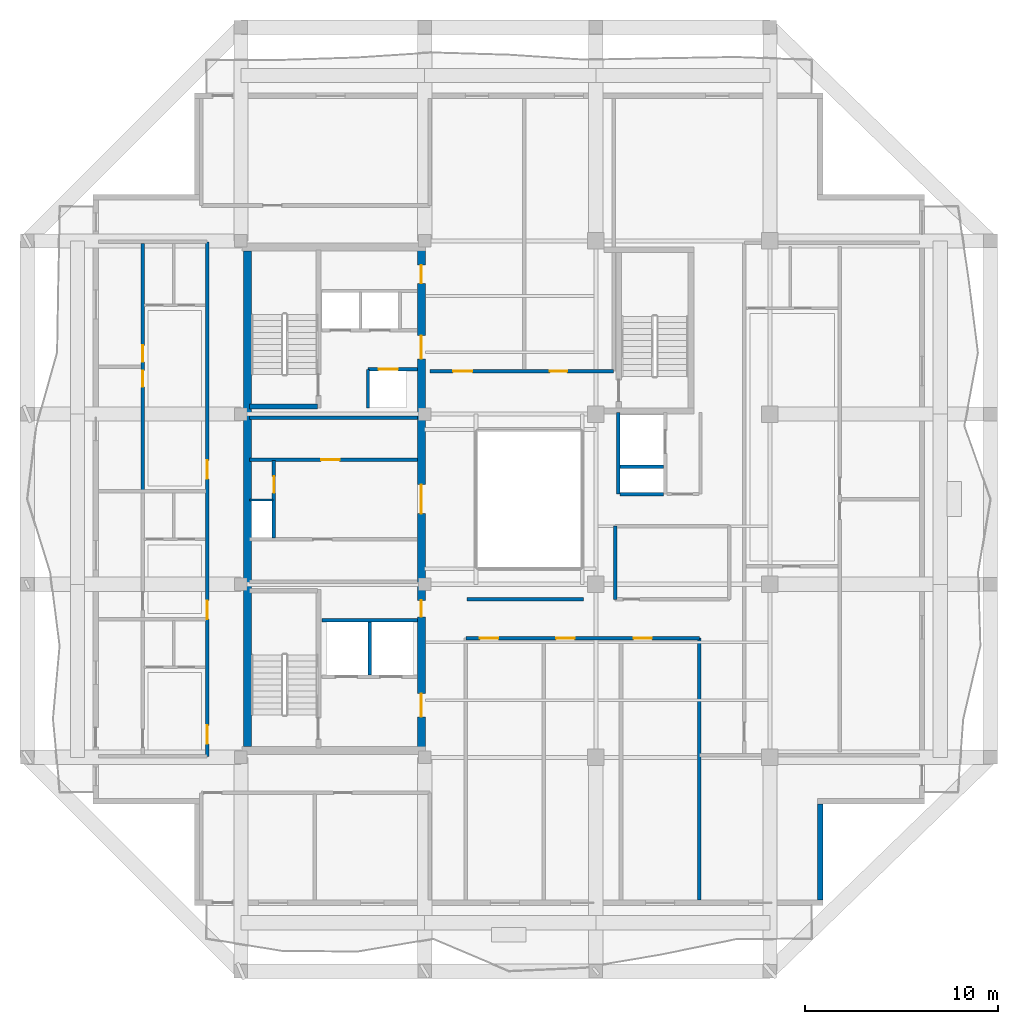
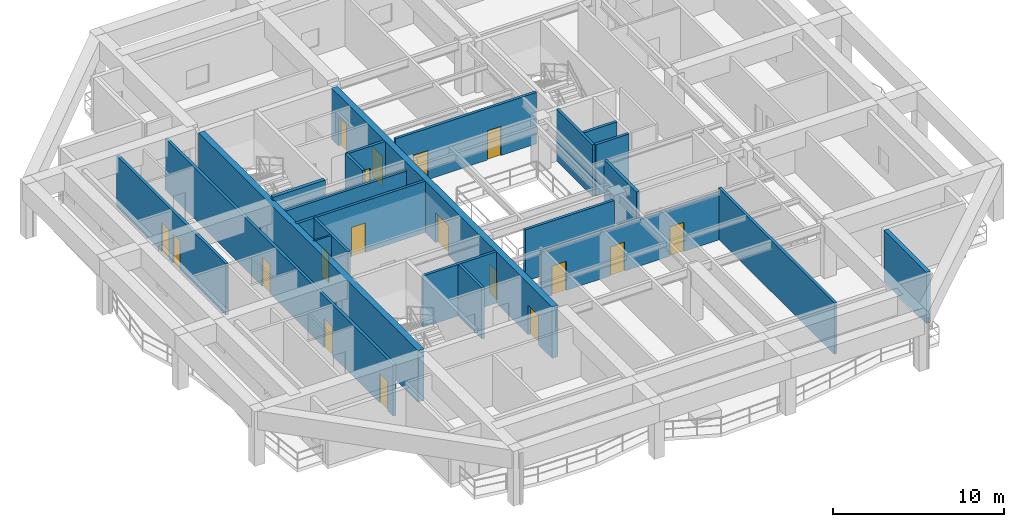
# One storey, part 4 of 11: 22 walls, 18 doors, 18 openings.
"""IFC4 building model written with IfcOpenShell, lengths in metres."""

from ifc_helpers import new_model, si_unit, direction, frame, frame_2d, origin, place, context, subcontext, project, spatial, rectangle, extrude, material, layer, layer_set, type_object, element, fill, save


model = new_model("IFC4")

# Units and contexts
model_context = context("Model", 3, precision=1e-05, world=origin(), true_north=direction((0.0, 1.0)))
body_context = subcontext(model_context, "Body", "Model", "MODEL_VIEW")
ifc_project = project(units=[si_unit("LENGTHUNIT", "METRE"), si_unit("AREAUNIT", "SQUARE_METRE"), si_unit("VOLUMEUNIT", "CUBIC_METRE"), si_unit("PLANEANGLEUNIT", "RADIAN"), si_unit("MASSUNIT", "GRAM", prefix="KILO")], contexts=[model_context])

# Site, building, storey
site_placement = place(None, origin())
site = spatial("IfcSite", under=ifc_project, at=site_placement, CompositionType="ELEMENT")
building_placement = place(site_placement, origin())
building = spatial("IfcBuilding", under=site, at=building_placement, Name="Kundavana Baori Tower", CompositionType="ELEMENT")
storey_placement = place(building_placement, frame((0.0, 0.0, 268.699951171875)))
storey = spatial("IfcBuildingStorey", under=building, at=storey_placement, Name="L66", CompositionType="ELEMENT", Elevation=268.699951171875)

# Wall
ifc_material_1 = material(Name="Concrete C50/60", Category="concrete")
ifc_layer_1 = layer(ifc_material_1, 0.39990234375, Name="WL-CORE-400")
ifc_layer_set_1 = layer_set([ifc_layer_1], Name="Concrete C50/60")
wall_type_1 = type_object("IfcWallType", Name="WL-CORE-400", PredefinedType="SHEAR", material=ifc_layer_set_1)
wall_1_placement = place(storey_placement, frame((15.7900390625, 15.81005859375, 0.0), z_axis=(0.0, 0.0, 1.0), x_axis=(0.0, 1.0, 0.0)))
element("IfcWall", 1, at=wall_1_placement, inside=storey, type_object=wall_type_1, Name="L66 Offset Core West Shear Wall", PredefinedType="SHEAR", context=body_context, shape_type="SweptSolid", body=[
    extrude(rectangle(XDim=25.6298828125, YDim=0.39990234375, at=frame_2d((12.81494140625, 0.0))), origin(), (0.0, 0.0, 1.0), 3.66015625),
])

# Wall, openings, doors
wall_2_placement = place(storey_placement, frame((24.780029296875, 15.739990234375, 0.0), z_axis=(0.0, 0.0, 1.0), x_axis=(0.0, 1.0, 0.0)))
wall_2 = element("IfcWall", 2, at=wall_2_placement, inside=storey, type_object=wall_type_1, Name="L66 Offset Core East Shear Wall", PredefinedType="SHEAR", context=body_context, shape_type="SweptSolid", body=[
    extrude(rectangle(XDim=25.760009765625, YDim=0.39990234375, at=frame_2d((12.8798828125, 0.0))), origin(), (0.0, 0.0, 1.0), 3.66015625),
])
opening_1_placement = place(wall_2_placement, frame((1.610107421875, 0.0, 0.0)))
opening_1 = element("IfcOpeningElement", 3, at=opening_1_placement, cuts=wall_2, Name="Opening FD-120", PredefinedType="OPENING", context=body_context, shape_type="SweptSolid", body=[
    extrude(rectangle(XDim=1.199951171875, YDim=2.10009765625, at=frame_2d((0.60009765625, 1.050048828125))), frame((0.0, 0.2099609375, 0.0), z_axis=(0.0, -1.0, 0.0), x_axis=(1.0, 0.0, 0.0)), (0.0, 0.0, 1.0), 0.419921875),
])
opening_2_placement = place(wall_2_placement, frame((6.780029296875, 0.0, 0.0)))
opening_2 = element("IfcOpeningElement", 4, at=opening_2_placement, cuts=wall_2, Name="Opening FD-085", PredefinedType="OPENING", context=body_context, shape_type="SweptSolid", body=[
    extrude(rectangle(XDim=0.85009765625, YDim=2.06005859375, at=frame_2d((0.425048828125, 1.030029296875))), frame((0.0, 0.2099609375, 0.0), z_axis=(0.0, -1.0, 0.0), x_axis=(1.0, 0.0, 0.0)), (0.0, 0.0, 1.0), 0.419921875),
])
opening_3_placement = place(wall_2_placement, frame((12.110107421875, 0.0, 0.0)))
opening_3 = element("IfcOpeningElement", 5, at=opening_3_placement, cuts=wall_2, Name="Opening FD-150", PredefinedType="OPENING", context=body_context, shape_type="SweptSolid", body=[
    extrude(rectangle(XDim=1.5, YDim=2.1201171875, at=frame_2d((0.75, 1.06005859375))), frame((0.0, 0.2099609375, 0.0), z_axis=(0.0, -1.0, 0.0), x_axis=(1.0, 0.0, 0.0)), (0.0, 0.0, 1.0), 0.419921875),
])
opening_4_placement = place(wall_2_placement, frame((20.110107421875, 0.0, 0.0)))
opening_4 = element("IfcOpeningElement", 6, at=opening_4_placement, cuts=wall_2, Name="Opening FD-122", PredefinedType="OPENING", context=body_context, shape_type="SweptSolid", body=[
    extrude(rectangle(XDim=1.199951171875, YDim=2.1201171875, at=frame_2d((0.60009765625, 1.06005859375))), frame((0.0, 0.2099609375, 0.0), z_axis=(0.0, -1.0, 0.0), x_axis=(1.0, 0.0, 0.0)), (0.0, 0.0, 1.0), 0.419921875),
])
opening_5_placement = place(wall_2_placement, frame((24.010009765625, 0.0, 0.0)))
opening_5 = element("IfcOpeningElement", 7, at=opening_5_placement, cuts=wall_2, Name="Opening FD-095", PredefinedType="OPENING", context=body_context, shape_type="SweptSolid", body=[
    extrude(rectangle(XDim=0.949951171875, YDim=2.10009765625, at=frame_2d((0.47509765625, 1.050048828125))), frame((0.0, 0.2099609375, 0.0), z_axis=(0.0, -1.0, 0.0), x_axis=(1.0, 0.0, 0.0)), (0.0, 0.0, 1.0), 0.419921875),
])
ifc_material_2 = material(Name="Galvanised Steel Fire-Rated Door Leaf", Category="steel")
door_type_1 = type_object("IfcDoorType", Name="DR-FD120-1200", OperationType="NOTDEFINED", PredefinedType="DOOR", material=ifc_material_2)
door_1_placement = place(opening_1_placement, frame((1.199951171875, 0.0, 0.0), z_axis=(0.0, 0.0, 1.0), x_axis=(-1.0, 0.0, 0.0)))
door_1 = element("IfcDoor", 8, at=door_1_placement, inside=storey, type_object=door_type_1, Name="DR-L66-FFLOB-E", OperationType="SINGLE_SWING_RIGHT", OverallHeight=2.10009765625, OverallWidth=1.199951171875, PredefinedType="DOOR", context=body_context, shape_type="SweptSolid", body=[
    extrude(rectangle(XDim=1.199951171875, YDim=2.10009765625, at=frame_2d((0.60009765625, 1.050048828125))), frame((0.0, 0.02490234375, 0.0), z_axis=(0.0, -1.0, 0.0), x_axis=(1.0, 0.0, 0.0)), (0.0, 0.0, 1.0), 0.050048828125),
])
fill(opening_1, door_1)
ifc_material_3 = material(Name="Galvanised Steel Fire-Rated Door Leaf", Category="steel")
door_type_2 = type_object("IfcDoorType", Name="DR-FD60-1200", OperationType="NOTDEFINED", PredefinedType="DOOR", material=ifc_material_3)
door_2_placement = place(opening_4_placement, frame((1.199951171875, 0.0, 0.0), z_axis=(0.0, 0.0, 1.0), x_axis=(-1.0, 0.0, 0.0)))
door_2 = element("IfcDoor", 9, at=door_2_placement, inside=storey, type_object=door_type_2, Name="DR-L66-HRLOB-E", OperationType="SINGLE_SWING_RIGHT", OverallHeight=2.1201171875, OverallWidth=1.199951171875, PredefinedType="DOOR", context=body_context, shape_type="SweptSolid", body=[
    extrude(rectangle(XDim=1.199951171875, YDim=2.1201171875, at=frame_2d((0.60009765625, 1.06005859375))), frame((0.0, 0.02490234375, 0.0), z_axis=(0.0, -1.0, 0.0), x_axis=(1.0, 0.0, 0.0)), (0.0, 0.0, 1.0), 0.050048828125),
])
fill(opening_4, door_2)
ifc_material_4 = material(Name="Galvanised Steel Fire-Rated Door Leaf", Category="steel")
door_type_3 = type_object("IfcDoorType", Name="DR-FD60-1500", OperationType="NOTDEFINED", PredefinedType="DOOR", material=ifc_material_4)
door_3_placement = place(opening_3_placement, frame((1.5, 0.0, 0.0), z_axis=(0.0, 0.0, 1.0), x_axis=(-1.0, 0.0, 0.0)))
door_3 = element("IfcDoor", 10, at=door_3_placement, inside=storey, type_object=door_type_3, Name="DR-L66-LIFTHALL-E", OperationType="SINGLE_SWING_LEFT", OverallHeight=2.1201171875, OverallWidth=1.5, PredefinedType="DOOR", context=body_context, shape_type="SweptSolid", body=[
    extrude(rectangle(XDim=1.5, YDim=2.1201171875, at=frame_2d((0.75, 1.06005859375))), frame((0.0, 0.02490234375, 0.0), z_axis=(0.0, -1.0, 0.0), x_axis=(1.0, 0.0, 0.0)), (0.0, 0.0, 1.0), 0.050048828125),
])
fill(opening_3, door_3)
ifc_material_5 = material(Name="Galvanised Steel Fire-Rated Door Leaf", Category="steel")
door_type_4 = type_object("IfcDoorType", Name="DR-FD60-850", OperationType="NOTDEFINED", PredefinedType="DOOR", material=ifc_material_5)
door_4_placement = place(opening_2_placement, frame((0.85009765625, 0.0, 0.0), z_axis=(0.0, 0.0, 1.0), x_axis=(-1.0, 0.0, 0.0)))
door_4 = element("IfcDoor", 11, at=door_4_placement, inside=storey, type_object=door_type_4, Name="DR-L66-CSMK1", OperationType="SINGLE_SWING_LEFT", OverallHeight=2.06005859375, OverallWidth=0.85009765625, PredefinedType="DOOR", context=body_context, shape_type="SweptSolid", body=[
    extrude(rectangle(XDim=0.85009765625, YDim=2.06005859375, at=frame_2d((0.425048828125, 1.030029296875))), frame((0.0, 0.02490234375, 0.0), z_axis=(0.0, -1.0, 0.0), x_axis=(1.0, 0.0, 0.0)), (0.0, 0.0, 1.0), 0.050048828125),
])
fill(opening_2, door_4)
ifc_material_6 = material(Name="Engineered Teak Fire-Rated Timber Door Leaf", Category="wood")
door_type_5 = type_object("IfcDoorType", Name="DR-FD60-950", OperationType="NOTDEFINED", PredefinedType="DOOR", material=ifc_material_6)
door_5_placement = place(opening_5_placement, frame((0.949951171875, 0.0, 0.0), z_axis=(0.0, 0.0, 1.0), x_axis=(-1.0, 0.0, 0.0)))
door_5 = element("IfcDoor", 12, at=door_5_placement, inside=storey, type_object=door_type_5, Name="DR-L66-CSRV1", OperationType="SINGLE_SWING_LEFT", OverallHeight=2.10009765625, OverallWidth=0.949951171875, PredefinedType="DOOR", context=body_context, shape_type="SweptSolid", body=[
    extrude(rectangle(XDim=0.949951171875, YDim=2.10009765625, at=frame_2d((0.47509765625, 1.050048828125))), frame((0.0, 0.02490234375, 0.0), z_axis=(0.0, -1.0, 0.0), x_axis=(1.0, 0.0, 0.0)), (0.0, 0.0, 1.0), 0.050048828125),
])
fill(opening_5, door_5)

# Walls
wall_3_placement = place(storey_placement, frame((15.89990234375, 33.389892578125, 0.0), z_axis=(0.0, 0.0, 1.0), x_axis=(1.0, 0.0, 0.0)))
element("IfcWall", 13, at=wall_3_placement, inside=storey, type_object=wall_type_1, Name="WL-L66-ST2-S", PredefinedType="SHEAR", context=body_context, shape_type="SweptSolid", body=[
    extrude(rectangle(XDim=3.52001953125, YDim=0.239990234375, at=frame_2d((1.760009765625, 0.0))), origin(), (0.0, 0.0, 1.0), 3.900146484375),
])
ifc_material_7 = material(Name="Red-Buff Dholpur Sandstone Cladding on Concrete C40/50", Category="masonry")
ifc_layer_2 = layer(ifc_material_7, 0.280029296875, Name="WL-EXT-SAND-280")
ifc_layer_set_2 = layer_set([ifc_layer_2], Name="Red-Buff Dholpur Sandstone Cladding on Concrete C40/50")
wall_type_2 = type_object("IfcWallType", Name="WL-EXT-SAND-280", PredefinedType="STANDARD", material=ifc_layer_set_2)
wall_4_placement = place(storey_placement, frame((45.409912109375, 7.8798828125, 0.0), z_axis=(0.0, 0.0, 1.0), x_axis=(0.0, 1.0, 0.0)))
element("IfcWall", 14, at=wall_4_placement, inside=storey, type_object=wall_type_2, Name="L66 Exterior Insulated Facade Wall 02", PredefinedType="STANDARD", context=body_context, shape_type="SweptSolid", body=[
    extrude(rectangle(XDim=4.97021484375, YDim=0.280029296875, at=frame_2d((2.485107421875, 0.0))), origin(), (0.0, 0.0, 1.0), 3.66015625),
])
ifc_material_8 = material(Name="Acoustic Gypsum Plasterboard on Galvanised Steel Studs", Category="steel")
ifc_layer_3 = layer(ifc_material_8, 0.1201171875, Name="WL-PART-120")
ifc_layer_set_3 = layer_set([ifc_layer_3], Name="Acoustic Gypsum Plasterboard on Galvanised Steel Studs")
wall_type_3 = type_object("IfcWallType", Name="WL-PART-120", PredefinedType="PARTITIONING", material=ifc_layer_set_3)
wall_5_placement = place(storey_placement, frame((15.89990234375, 28.56005859375, 0.0), z_axis=(0.0, 0.0, 1.0), x_axis=(1.0, 0.0, 0.0)))
element("IfcWall", 15, at=wall_5_placement, inside=storey, type_object=wall_type_3, Name="WL-L66-RSRW-N", PredefinedType="PARTITIONING", context=body_context, shape_type="SweptSolid", body=[
    extrude(rectangle(XDim=1.2001953125, YDim=0.1201171875, at=frame_2d((0.60009765625, 0.0))), origin(), (0.0, 0.0, 1.0), 3.66015625),
])

# Wall, openings, doors
ifc_material_9 = material(Name="Autoclaved Aerated Concrete Blockwork Masonry", Category="masonry")
ifc_layer_4 = layer(ifc_material_9, 0.18505859375, Name="WL-PART-180")
ifc_layer_set_4 = layer_set([ifc_layer_4], Name="Autoclaved Aerated Concrete Blockwork Masonry")
wall_type_4 = type_object("IfcWallType", Name="WL-PART-180", PredefinedType="SOLIDWALL", material=ifc_layer_set_4)
wall_6_placement = place(storey_placement, frame((27.080078125, 21.419921875, 0.0), z_axis=(0.0, 0.0, 1.0), x_axis=(1.0, 0.0, 0.0)))
wall_6 = element("IfcWall", 16, at=wall_6_placement, inside=storey, type_object=wall_type_4, Name="WL-L66-RS", PredefinedType="SOLIDWALL", context=body_context, shape_type="SweptSolid", body=[
    extrude(rectangle(XDim=12.06982421875, YDim=0.18505859375, at=frame_2d((6.034912109375, 0.0))), origin(), (0.0, 0.0, 1.0), 3.31005859375),
])
opening_6_placement = place(wall_6_placement, frame((0.72998046875, 0.0, 0.0)))
opening_6 = element("IfcOpeningElement", 17, at=opening_6_placement, cuts=wall_6, Name="Opening ID-095", PredefinedType="OPENING", context=body_context, shape_type="SweptSolid", body=[
    extrude(rectangle(XDim=0.949951171875, YDim=2.080078125, at=frame_2d((0.47509765625, 1.0400390625))), frame((0.0, 0.1025390625, 0.0), z_axis=(0.0, -1.0, 0.0), x_axis=(1.0, 0.0, 0.0)), (0.0, 0.0, 1.0), 0.205078125),
])
opening_7_placement = place(wall_6_placement, frame((4.669921875, 0.0, 0.0)))
opening_7 = element("IfcOpeningElement", 18, at=opening_7_placement, cuts=wall_6, Name="Opening ID-095", PredefinedType="OPENING", context=body_context, shape_type="SweptSolid", body=[
    extrude(rectangle(XDim=0.949951171875, YDim=2.080078125, at=frame_2d((0.47509765625, 1.0400390625))), frame((0.0, 0.1025390625, 0.0), z_axis=(0.0, -1.0, 0.0), x_axis=(1.0, 0.0, 0.0)), (0.0, 0.0, 1.0), 0.205078125),
])
opening_8_placement = place(wall_6_placement, frame((8.669921875, 0.0, 0.0)))
opening_8 = element("IfcOpeningElement", 19, at=opening_8_placement, cuts=wall_6, Name="Opening ID-095", PredefinedType="OPENING", context=body_context, shape_type="SweptSolid", body=[
    extrude(rectangle(XDim=0.949951171875, YDim=2.080078125, at=frame_2d((0.47509765625, 1.0400390625))), frame((0.0, 0.1025390625, 0.0), z_axis=(0.0, -1.0, 0.0), x_axis=(1.0, 0.0, 0.0)), (0.0, 0.0, 1.0), 0.205078125),
])
ifc_material_10 = material(Name="Engineered Teak Solid-Core Timber Veneer", Category="wood")
door_type_6 = type_object("IfcDoorType", Name="DR-INT-950", OperationType="NOTDEFINED", PredefinedType="DOOR", material=ifc_material_10)
door_6_placement = place(opening_6_placement, frame((0.949951171875, 0.0, 0.0), z_axis=(0.0, 0.0, 1.0), x_axis=(-1.0, 0.0, 0.0)))
door_6 = element("IfcDoor", 20, at=door_6_placement, inside=storey, type_object=door_type_6, Name="DR-L66-RCS1", OperationType="SINGLE_SWING_RIGHT", OverallHeight=2.080078125, OverallWidth=0.949951171875, PredefinedType="DOOR", context=body_context, shape_type="SweptSolid", body=[
    extrude(rectangle(XDim=0.949951171875, YDim=2.080078125, at=frame_2d((0.47509765625, 1.0400390625))), frame((0.0, 0.02490234375, 0.0), z_axis=(0.0, -1.0, 0.0), x_axis=(1.0, 0.0, 0.0)), (0.0, 0.0, 1.0), 0.050048828125),
])
fill(opening_6, door_6)
door_7_placement = place(opening_7_placement, frame((0.949951171875, 0.0, 0.0), z_axis=(0.0, 0.0, 1.0), x_axis=(-1.0, 0.0, 0.0)))
door_7 = element("IfcDoor", 21, at=door_7_placement, inside=storey, type_object=door_type_6, Name="DR-L66-RCS2", OperationType="SINGLE_SWING_RIGHT", OverallHeight=2.080078125, OverallWidth=0.949951171875, PredefinedType="DOOR", context=body_context, shape_type="SweptSolid", body=[
    extrude(rectangle(XDim=0.949951171875, YDim=2.080078125, at=frame_2d((0.47509765625, 1.0400390625))), frame((0.0, 0.02490234375, 0.0), z_axis=(0.0, -1.0, 0.0), x_axis=(1.0, 0.0, 0.0)), (0.0, 0.0, 1.0), 0.050048828125),
])
fill(opening_7, door_7)
door_8_placement = place(opening_8_placement, frame((0.949951171875, 0.0, 0.0), z_axis=(0.0, 0.0, 1.0), x_axis=(-1.0, 0.0, 0.0)))
door_8 = element("IfcDoor", 22, at=door_8_placement, inside=storey, type_object=door_type_6, Name="DR-L66-RCS3", OperationType="SINGLE_SWING_RIGHT", OverallHeight=2.080078125, OverallWidth=0.949951171875, PredefinedType="DOOR", context=body_context, shape_type="SweptSolid", body=[
    extrude(rectangle(XDim=0.949951171875, YDim=2.080078125, at=frame_2d((0.47509765625, 1.0400390625))), frame((0.0, 0.02490234375, 0.0), z_axis=(0.0, -1.0, 0.0), x_axis=(1.0, 0.0, 0.0)), (0.0, 0.0, 1.0), 0.050048828125),
])
fill(opening_8, door_8)

# Wall
wall_7_placement = place(storey_placement, frame((27.14990234375, 23.419921875, 0.0), z_axis=(0.0, 0.0, 1.0), x_axis=(1.0, 0.0, 0.0)))
element("IfcWall", 23, at=wall_7_placement, inside=storey, type_object=wall_type_4, Name="WL-L66-RST", PredefinedType="SOLIDWALL", context=body_context, shape_type="SweptSolid", body=[
    extrude(rectangle(XDim=6.0, YDim=0.18505859375, at=frame_2d((3.0, 0.0))), origin(), (0.0, 0.0, 1.0), 3.66015625),
])

# Wall, openings, doors
wall_8_placement = place(storey_placement, frame((25.219970703125, 35.219970703125, 0.0), z_axis=(0.0, 0.0, 1.0), x_axis=(1.0, 0.0, 0.0)))
wall_8 = element("IfcWall", 24, at=wall_8_placement, inside=storey, type_object=wall_type_4, Name="WL-L66-RN", PredefinedType="SOLIDWALL", context=body_context, shape_type="SweptSolid", body=[
    extrude(rectangle(XDim=9.5, YDim=0.18505859375, at=frame_2d((4.75, 0.0))), origin(), (0.0, 0.0, 1.0), 3.66015625),
])
opening_9_placement = place(wall_8_placement, frame((1.199951171875, 0.0, 0.0)))
opening_9 = element("IfcOpeningElement", 25, at=opening_9_placement, cuts=wall_8, Name="Opening ID-100", PredefinedType="OPENING", context=body_context, shape_type="SweptSolid", body=[
    extrude(rectangle(XDim=1.0, YDim=2.080078125, at=frame_2d((0.5, 1.0400390625))), frame((0.0, 0.1025390625, 0.0), z_axis=(0.0, -1.0, 0.0), x_axis=(1.0, 0.0, 0.0)), (0.0, 0.0, 1.0), 0.205078125),
])
opening_10_placement = place(wall_8_placement, frame((6.199951171875, 0.0, 0.0)))
opening_10 = element("IfcOpeningElement", 26, at=opening_10_placement, cuts=wall_8, Name="Opening ID-090", PredefinedType="OPENING", context=body_context, shape_type="SweptSolid", body=[
    extrude(rectangle(XDim=0.89990234375, YDim=2.080078125, at=frame_2d((0.449951171875, 1.0400390625))), frame((0.0, 0.1025390625, 0.0), z_axis=(0.0, -1.0, 0.0), x_axis=(1.0, 0.0, 0.0)), (0.0, 0.0, 1.0), 0.205078125),
])
ifc_material_11 = material(Name="Engineered Teak Solid-Core Timber Veneer", Category="wood")
door_type_7 = type_object("IfcDoorType", Name="DR-INT-1000", OperationType="NOTDEFINED", PredefinedType="DOOR", material=ifc_material_11)
door_9_placement = place(opening_9_placement, origin())
door_9 = element("IfcDoor", 27, at=door_9_placement, inside=storey, type_object=door_type_7, Name="DR-L66-RLN1", OperationType="SINGLE_SWING_LEFT", OverallHeight=2.080078125, OverallWidth=1.0, PredefinedType="DOOR", context=body_context, shape_type="SweptSolid", body=[
    extrude(rectangle(XDim=1.0, YDim=2.080078125, at=frame_2d((0.5, 1.0400390625))), frame((0.0, 0.02490234375, 0.0), z_axis=(0.0, -1.0, 0.0), x_axis=(1.0, 0.0, 0.0)), (0.0, 0.0, 1.0), 0.050048828125),
])
fill(opening_9, door_9)
ifc_material_12 = material(Name="Engineered Teak Solid-Core Timber Veneer", Category="wood")
door_type_8 = type_object("IfcDoorType", Name="DR-INT-900", OperationType="NOTDEFINED", PredefinedType="DOOR", material=ifc_material_12)
door_10_placement = place(opening_10_placement, origin())
door_10 = element("IfcDoor", 28, at=door_10_placement, inside=storey, type_object=door_type_8, Name="DR-L66-RLN2", OperationType="SINGLE_SWING_RIGHT", OverallHeight=2.080078125, OverallWidth=0.89990234375, PredefinedType="DOOR", context=body_context, shape_type="SweptSolid", body=[
    extrude(rectangle(XDim=0.89990234375, YDim=2.080078125, at=frame_2d((0.449951171875, 1.0400390625))), frame((0.0, 0.02490234375, 0.0), z_axis=(0.0, -1.0, 0.0), x_axis=(1.0, 0.0, 0.0)), (0.0, 0.0, 1.0), 0.050048828125),
])
fill(opening_10, door_10)

wall_9_placement = place(storey_placement, frame((13.699951171875, 15.300048828125, 0.0), z_axis=(0.0, 0.0, 1.0), x_axis=(0.0, 1.0, 0.0)))
wall_9 = element("IfcWall", 29, at=wall_9_placement, inside=storey, type_object=wall_type_4, Name="WL-L66-RW", PredefinedType="SOLIDWALL", context=body_context, shape_type="SweptSolid", body=[
    extrude(rectangle(XDim=26.599853515625, YDim=0.18505859375, at=frame_2d((13.2998046875, 0.0))), origin(), (0.0, 0.0, 1.0), 3.66015625),
])
opening_11_placement = place(wall_9_placement, frame((0.64990234375, 0.0, 0.0)))
opening_11 = element("IfcOpeningElement", 30, at=opening_11_placement, cuts=wall_9, Name="Opening FD-095", PredefinedType="OPENING", context=body_context, shape_type="SweptSolid", body=[
    extrude(rectangle(XDim=0.949951171875, YDim=2.10009765625, at=frame_2d((0.47509765625, 1.050048828125))), frame((0.0, 0.1025390625, 0.0), z_axis=(0.0, -1.0, 0.0), x_axis=(1.0, 0.0, 0.0)), (0.0, 0.0, 1.0), 0.205078125),
])
opening_12_placement = place(wall_9_placement, frame((7.10009765625, 0.0, 0.0)))
opening_12 = element("IfcOpeningElement", 31, at=opening_12_placement, cuts=wall_9, Name="Opening FD-095", PredefinedType="OPENING", context=body_context, shape_type="SweptSolid", body=[
    extrude(rectangle(XDim=0.949951171875, YDim=2.10009765625, at=frame_2d((0.47509765625, 1.050048828125))), frame((0.0, 0.1025390625, 0.0), z_axis=(0.0, -1.0, 0.0), x_axis=(1.0, 0.0, 0.0)), (0.0, 0.0, 1.0), 0.205078125),
])
opening_13_placement = place(wall_9_placement, frame((14.35009765625, 0.0, 0.0)))
opening_13 = element("IfcOpeningElement", 32, at=opening_13_placement, cuts=wall_9, Name="Opening FD-095", PredefinedType="OPENING", context=body_context, shape_type="SweptSolid", body=[
    extrude(rectangle(XDim=0.949951171875, YDim=2.10009765625, at=frame_2d((0.47509765625, 1.050048828125))), frame((0.0, 0.1025390625, 0.0), z_axis=(0.0, -1.0, 0.0), x_axis=(1.0, 0.0, 0.0)), (0.0, 0.0, 1.0), 0.205078125),
])
door_11_placement = place(opening_11_placement, frame((0.949951171875, 0.0, 0.0), z_axis=(0.0, 0.0, 1.0), x_axis=(-1.0, 0.0, 0.0)))
door_11 = element("IfcDoor", 33, at=door_11_placement, inside=storey, type_object=door_type_5, Name="DR-L66-W1-ENT", OperationType="SINGLE_SWING_LEFT", OverallHeight=2.10009765625, OverallWidth=0.949951171875, PredefinedType="DOOR", context=body_context, shape_type="SweptSolid", body=[
    extrude(rectangle(XDim=0.949951171875, YDim=2.10009765625, at=frame_2d((0.47509765625, 1.050048828125))), frame((0.0, 0.02490234375, 0.0), z_axis=(0.0, -1.0, 0.0), x_axis=(1.0, 0.0, 0.0)), (0.0, 0.0, 1.0), 0.050048828125),
])
fill(opening_11, door_11)
door_12_placement = place(opening_12_placement, frame((0.949951171875, 0.0, 0.0), z_axis=(0.0, 0.0, 1.0), x_axis=(-1.0, 0.0, 0.0)))
door_12 = element("IfcDoor", 34, at=door_12_placement, inside=storey, type_object=door_type_5, Name="DR-L66-W2-ENT", OperationType="SINGLE_SWING_LEFT", OverallHeight=2.10009765625, OverallWidth=0.949951171875, PredefinedType="DOOR", context=body_context, shape_type="SweptSolid", body=[
    extrude(rectangle(XDim=0.949951171875, YDim=2.10009765625, at=frame_2d((0.47509765625, 1.050048828125))), frame((0.0, 0.02490234375, 0.0), z_axis=(0.0, -1.0, 0.0), x_axis=(1.0, 0.0, 0.0)), (0.0, 0.0, 1.0), 0.050048828125),
])
fill(opening_12, door_12)
door_13_placement = place(opening_13_placement, frame((0.949951171875, 0.0, 0.0), z_axis=(0.0, 0.0, 1.0), x_axis=(-1.0, 0.0, 0.0)))
door_13 = element("IfcDoor", 35, at=door_13_placement, inside=storey, type_object=door_type_5, Name="DR-L66-W3-ENT", OperationType="SINGLE_SWING_LEFT", OverallHeight=2.10009765625, OverallWidth=0.949951171875, PredefinedType="DOOR", context=body_context, shape_type="SweptSolid", body=[
    extrude(rectangle(XDim=0.949951171875, YDim=2.10009765625, at=frame_2d((0.47509765625, 1.050048828125))), frame((0.0, 0.02490234375, 0.0), z_axis=(0.0, -1.0, 0.0), x_axis=(1.0, 0.0, 0.0)), (0.0, 0.0, 1.0), 0.050048828125),
])
fill(opening_13, door_13)

wall_10_placement = place(storey_placement, frame((10.3701171875, 29.080078125, 0.0), z_axis=(0.0, 0.0, 1.0), x_axis=(0.0, 1.0, 0.0)))
wall_10 = element("IfcWall", 36, at=wall_10_placement, inside=storey, type_object=wall_type_4, Name="WL-L66-W3-VT", PredefinedType="SOLIDWALL", context=body_context, shape_type="SweptSolid", body=[
    extrude(rectangle(XDim=12.739990234375, YDim=0.18505859375, at=frame_2d((6.3701171875, 0.0))), origin(), (0.0, 0.0, 1.0), 3.66015625),
])
opening_14_placement = place(wall_10_placement, frame((5.320068359375, 0.0, 0.0)))
opening_14 = element("IfcOpeningElement", 37, at=opening_14_placement, cuts=wall_10, Name="Opening ID-085", PredefinedType="OPENING", context=body_context, shape_type="SweptSolid", body=[
    extrude(rectangle(XDim=0.85009765625, YDim=2.080078125, at=frame_2d((0.425048828125, 1.0400390625))), frame((0.0, 0.1025390625, 0.0), z_axis=(0.0, -1.0, 0.0), x_axis=(1.0, 0.0, 0.0)), (0.0, 0.0, 1.0), 0.205078125),
])
opening_15_placement = place(wall_10_placement, frame((6.6201171875, 0.0, 0.0)))
opening_15 = element("IfcOpeningElement", 38, at=opening_15_placement, cuts=wall_10, Name="Opening ID-085", PredefinedType="OPENING", context=body_context, shape_type="SweptSolid", body=[
    extrude(rectangle(XDim=0.85009765625, YDim=2.080078125, at=frame_2d((0.425048828125, 1.0400390625))), frame((0.0, 0.1025390625, 0.0), z_axis=(0.0, -1.0, 0.0), x_axis=(1.0, 0.0, 0.0)), (0.0, 0.0, 1.0), 0.205078125),
])
ifc_material_13 = material(Name="Engineered Teak Solid-Core Timber Veneer", Category="wood")
door_type_9 = type_object("IfcDoorType", Name="DR-INT-850", OperationType="NOTDEFINED", PredefinedType="DOOR", material=ifc_material_13)
door_14_placement = place(opening_14_placement, frame((0.85009765625, 0.0, 0.0), z_axis=(0.0, 0.0, 1.0), x_axis=(-1.0, 0.0, 0.0)))
door_14 = element("IfcDoor", 39, at=door_14_placement, inside=storey, type_object=door_type_9, Name="DR-L66-W3-B1", OperationType="SINGLE_SWING_LEFT", OverallHeight=2.080078125, OverallWidth=0.85009765625, PredefinedType="DOOR", context=body_context, shape_type="SweptSolid", body=[
    extrude(rectangle(XDim=0.85009765625, YDim=2.080078125, at=frame_2d((0.425048828125, 1.0400390625))), frame((0.0, 0.02490234375, 0.0), z_axis=(0.0, -1.0, 0.0), x_axis=(1.0, 0.0, 0.0)), (0.0, 0.0, 1.0), 0.050048828125),
])
fill(opening_14, door_14)
door_15_placement = place(opening_15_placement, frame((0.85009765625, 0.0, 0.0), z_axis=(0.0, 0.0, 1.0), x_axis=(-1.0, 0.0, 0.0)))
door_15 = element("IfcDoor", 40, at=door_15_placement, inside=storey, type_object=door_type_9, Name="DR-L66-W3-B2", OperationType="SINGLE_SWING_RIGHT", OverallHeight=2.080078125, OverallWidth=0.85009765625, PredefinedType="DOOR", context=body_context, shape_type="SweptSolid", body=[
    extrude(rectangle(XDim=0.85009765625, YDim=2.080078125, at=frame_2d((0.425048828125, 1.0400390625))), frame((0.0, 0.02490234375, 0.0), z_axis=(0.0, -1.0, 0.0), x_axis=(1.0, 0.0, 0.0)), (0.0, 0.0, 1.0), 0.050048828125),
])
fill(opening_15, door_15)

# Walls
wall_11_placement = place(storey_placement, frame((39.14990234375, 7.8798828125, 0.0), z_axis=(0.0, 0.0, 1.0), x_axis=(0.0, 1.0, 0.0)))
element("IfcWall", 41, at=wall_11_placement, inside=storey, type_object=wall_type_4, Name="WL-L66-RSEND", PredefinedType="SOLIDWALL", context=body_context, shape_type="SweptSolid", body=[
    extrude(rectangle(XDim=13.5400390625, YDim=0.18505859375, at=frame_2d((6.77001953125, 0.0))), origin(), (0.0, 0.0, 1.0), 3.66015625),
])
wall_12_placement = place(storey_placement, frame((34.800048828125, 23.419921875, 0.0), z_axis=(0.0, 0.0, 1.0), x_axis=(0.0, 1.0, 0.0)))
element("IfcWall", 42, at=wall_12_placement, inside=storey, type_object=wall_type_4, Name="WL-L66-ALW", PredefinedType="SOLIDWALL", context=body_context, shape_type="SweptSolid", body=[
    extrude(rectangle(XDim=3.780029296875, YDim=0.18505859375, at=frame_2d((1.89013671875, 0.0))), origin(), (0.0, 0.0, 1.0), 3.66015625),
])
ifc_material_14 = material(Name="Autoclaved Aerated Concrete Blockwork Masonry", Category="masonry")
ifc_layer_5 = layer(ifc_material_14, 0.179931640625, Name="WL-SHAFT-180")
ifc_layer_set_5 = layer_set([ifc_layer_5], Name="Autoclaved Aerated Concrete Blockwork Masonry")
wall_type_5 = type_object("IfcWallType", Name="WL-SHAFT-180", PredefinedType="SOLIDWALL", material=ifc_layer_set_5)
wall_13_placement = place(storey_placement, frame((22.10009765625, 19.510009765625, 0.0), z_axis=(0.0, 0.0, 1.0), x_axis=(0.0, 1.0, 0.0)))
element("IfcWall", 43, at=wall_13_placement, inside=storey, type_object=wall_type_5, Name="WL-L66-FFL-MID", PredefinedType="SOLIDWALL", context=body_context, shape_type="SweptSolid", body=[
    extrude(rectangle(XDim=2.739990234375, YDim=0.179931640625, at=frame_2d((1.3701171875, 0.0))), origin(), (0.0, 0.0, 1.0), 3.66015625),
])
wall_14_placement = place(storey_placement, frame((19.639892578125, 22.340087890625, 0.0), z_axis=(0.0, 0.0, 1.0), x_axis=(1.0, 0.0, 0.0)))
element("IfcWall", 44, at=wall_14_placement, inside=storey, type_object=wall_type_5, Name="WL-L66-FFL-N", PredefinedType="SOLIDWALL", context=body_context, shape_type="SweptSolid", body=[
    extrude(rectangle(XDim=4.940185546875, YDim=0.179931640625, at=frame_2d((2.47021484375, 0.0))), origin(), (0.0, 0.0, 1.0), 3.66015625),
])

# Wall, opening, door
wall_15_placement = place(storey_placement, frame((17.159912109375, 26.580078125, 0.0), z_axis=(0.0, 0.0, 1.0), x_axis=(0.0, 1.0, 0.0)))
wall_15 = element("IfcWall", 45, at=wall_15_placement, inside=storey, type_object=wall_type_5, Name="WL-L66-RSRW-E", PredefinedType="SOLIDWALL", context=body_context, shape_type="SweptSolid", body=[
    extrude(rectangle(XDim=4.02001953125, YDim=0.179931640625, at=frame_2d((2.010009765625, 0.0))), origin(), (0.0, 0.0, 1.0), 3.66015625),
])
opening_16_placement = place(wall_15_placement, frame((2.35009765625, 0.0, 0.0)))
opening_16 = element("IfcOpeningElement", 46, at=opening_16_placement, cuts=wall_15, Name="Opening FD-085", PredefinedType="OPENING", context=body_context, shape_type="SweptSolid", body=[
    extrude(rectangle(XDim=0.85009765625, YDim=2.06005859375, at=frame_2d((0.425048828125, 1.030029296875))), frame((0.0, 0.10009765625, 0.0), z_axis=(0.0, -1.0, 0.0), x_axis=(1.0, 0.0, 0.0)), (0.0, 0.0, 1.0), 0.199951171875),
])
door_16_placement = place(opening_16_placement, origin())
door_16 = element("IfcDoor", 47, at=door_16_placement, inside=storey, type_object=door_type_4, Name="DR-L66-CLN", OperationType="SINGLE_SWING_RIGHT", OverallHeight=2.06005859375, OverallWidth=0.85009765625, PredefinedType="DOOR", context=body_context, shape_type="SweptSolid", body=[
    extrude(rectangle(XDim=0.85009765625, YDim=2.06005859375, at=frame_2d((0.425048828125, 1.030029296875))), frame((0.0, 0.02490234375, 0.0), z_axis=(0.0, -1.0, 0.0), x_axis=(1.0, 0.0, 0.0)), (0.0, 0.0, 1.0), 0.050048828125),
])
fill(opening_16, door_16)

wall_16_placement = place(storey_placement, frame((15.89990234375, 30.639892578125, 0.0), z_axis=(0.0, 0.0, 1.0), x_axis=(1.0, 0.0, 0.0)))
wall_16 = element("IfcWall", 48, at=wall_16_placement, inside=storey, type_object=wall_type_5, Name="WL-L66-LPMID-S", PredefinedType="SOLIDWALL", context=body_context, shape_type="SweptSolid", body=[
    extrude(rectangle(XDim=8.68017578125, YDim=0.179931640625, at=frame_2d((4.340087890625, 0.0))), origin(), (0.0, 0.0, 1.0), 3.66015625),
])
opening_17_placement = place(wall_16_placement, frame((3.699951171875, 0.0, 0.0)))
opening_17 = element("IfcOpeningElement", 49, at=opening_17_placement, cuts=wall_16, Name="Opening FD-095", PredefinedType="OPENING", context=body_context, shape_type="SweptSolid", body=[
    extrude(rectangle(XDim=0.949951171875, YDim=2.10009765625, at=frame_2d((0.47509765625, 1.050048828125))), frame((0.0, 0.10009765625, 0.0), z_axis=(0.0, -1.0, 0.0), x_axis=(1.0, 0.0, 0.0)), (0.0, 0.0, 1.0), 0.199951171875),
])
door_17_placement = place(opening_17_placement, frame((0.949951171875, 0.0, 0.0), z_axis=(0.0, 0.0, 1.0), x_axis=(-1.0, 0.0, 0.0)))
door_17 = element("IfcDoor", 50, at=door_17_placement, inside=storey, type_object=door_type_5, Name="DR-L66-FRMID1", OperationType="SINGLE_SWING_RIGHT", OverallHeight=2.10009765625, OverallWidth=0.949951171875, PredefinedType="DOOR", context=body_context, shape_type="SweptSolid", body=[
    extrude(rectangle(XDim=0.949951171875, YDim=2.10009765625, at=frame_2d((0.47509765625, 1.050048828125))), frame((0.0, 0.02490234375, 0.0), z_axis=(0.0, -1.0, 0.0), x_axis=(1.0, 0.0, 0.0)), (0.0, 0.0, 1.0), 0.050048828125),
])
fill(opening_17, door_17)

# Wall
wall_17_placement = place(storey_placement, frame((15.89990234375, 32.820068359375, 0.0), z_axis=(0.0, 0.0, 1.0), x_axis=(1.0, 0.0, 0.0)))
element("IfcWall", 51, at=wall_17_placement, inside=storey, type_object=wall_type_5, Name="WL-L66-LPMID-N", PredefinedType="SOLIDWALL", context=body_context, shape_type="SweptSolid", body=[
    extrude(rectangle(XDim=8.68017578125, YDim=0.179931640625, at=frame_2d((4.340087890625, 0.0))), origin(), (0.0, 0.0, 1.0), 3.06005859375),
])

# Wall, opening, door
wall_18_placement = place(storey_placement, frame((22.02001953125, 35.31005859375, 0.0), z_axis=(0.0, 0.0, 1.0), x_axis=(1.0, 0.0, 0.0)))
wall_18 = element("IfcWall", 52, at=wall_18_placement, inside=storey, type_object=wall_type_5, Name="WL-L66-LP11-N", PredefinedType="SOLIDWALL", context=body_context, shape_type="SweptSolid", body=[
    extrude(rectangle(XDim=2.56005859375, YDim=0.179931640625, at=frame_2d((1.280029296875, 0.0))), origin(), (0.0, 0.0, 1.0), 3.66015625),
])
opening_18_placement = place(wall_18_placement, frame((0.550048828125, 0.0, 0.0)))
opening_18 = element("IfcOpeningElement", 53, at=opening_18_placement, cuts=wall_18, Name="Opening LD-100", PredefinedType="OPENING", context=body_context, shape_type="SweptSolid", body=[
    extrude(rectangle(XDim=1.0, YDim=2.10009765625, at=frame_2d((0.5, 1.050048828125))), frame((0.0, 0.10009765625, 0.0), z_axis=(0.0, -1.0, 0.0), x_axis=(1.0, 0.0, 0.0)), (0.0, 0.0, 1.0), 0.199951171875),
])
ifc_material_15 = material(Name="Galvanised Steel Fire-Rated Door Leaf", Category="steel")
door_type_10 = type_object("IfcDoorType", Name="DR-SLIDE-LD1000", OperationType="NOTDEFINED", PredefinedType="DOOR", material=ifc_material_15)
door_18_placement = place(opening_18_placement, origin())
door_18 = element("IfcDoor", 54, at=door_18_placement, inside=storey, type_object=door_type_10, Name="DR-L66-LD-LP11", OperationType="DOUBLE_DOOR_SLIDING", OverallHeight=2.10009765625, OverallWidth=1.0, PredefinedType="DOOR", context=body_context, shape_type="SweptSolid", body=[
    extrude(rectangle(XDim=1.0, YDim=2.10009765625, at=frame_2d((0.5, 1.050048828125))), frame((0.0, 0.02490234375, 0.0), z_axis=(0.0, -1.0, 0.0), x_axis=(1.0, 0.0, 0.0)), (0.0, 0.0, 1.0), 0.050048828125),
])
fill(opening_18, door_18)

# Walls
wall_19_placement = place(storey_placement, frame((22.02001953125, 33.300048828125, 0.0), z_axis=(0.0, 0.0, 1.0), x_axis=(0.0, 1.0, 0.0)))
element("IfcWall", 55, at=wall_19_placement, inside=storey, type_object=wall_type_5, Name="WL-L66-LP11-W", PredefinedType="SOLIDWALL", context=body_context, shape_type="SweptSolid", body=[
    extrude(rectangle(XDim=2.010009765625, YDim=0.179931640625, at=frame_2d((1.0048828125, 0.0))), origin(), (0.0, 0.0, 1.0), 3.66015625),
])
wall_20_placement = place(storey_placement, frame((34.9599609375, 28.860107421875, 0.0), z_axis=(0.0, 0.0, 1.0), x_axis=(0.0, 1.0, 0.0)))
element("IfcWall", 56, at=wall_20_placement, inside=storey, type_object=wall_type_5, Name="WL-L66-SVL-W", PredefinedType="SOLIDWALL", context=body_context, shape_type="SweptSolid", body=[
    extrude(rectangle(XDim=4.219970703125, YDim=0.179931640625, at=frame_2d((2.10986328125, 0.0))), origin(), (0.0, 0.0, 1.0), 3.66015625),
])
for number, where, z_axis, x_axis, name in (
    (57, (35.050048828125, 28.860107421875, 0.0), (0.0, 0.0, 1.0), (1.0, 0.0, 0.0), "WL-L66-SVL-S"),
    (58, (35.050048828125, 30.27001953125, 0.0), (0.0, 0.0, 1.0), (1.0, 0.0, 0.0), "WL-L66-SVL-M"),
):
    element("IfcWall", number, at=place(storey_placement, frame(where, z_axis=z_axis, x_axis=x_axis)), inside=storey, type_object=wall_type_5, Name=name, PredefinedType="SOLIDWALL", context=body_context, shape_type="SweptSolid", body=[
        extrude(rectangle(XDim=2.25, YDim=0.179931640625, at=frame_2d((1.125, 0.0))), origin(), (0.0, 0.0, 1.0), 3.66015625),
    ])

save(model, "model.ifc")
